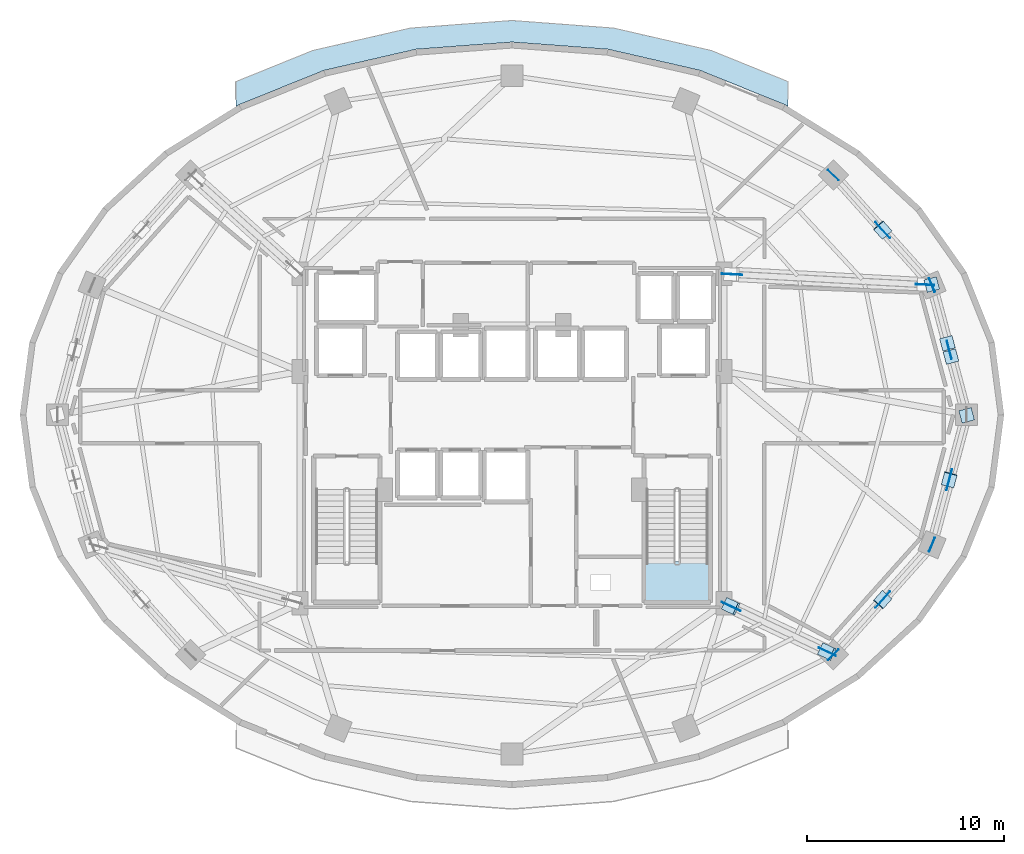
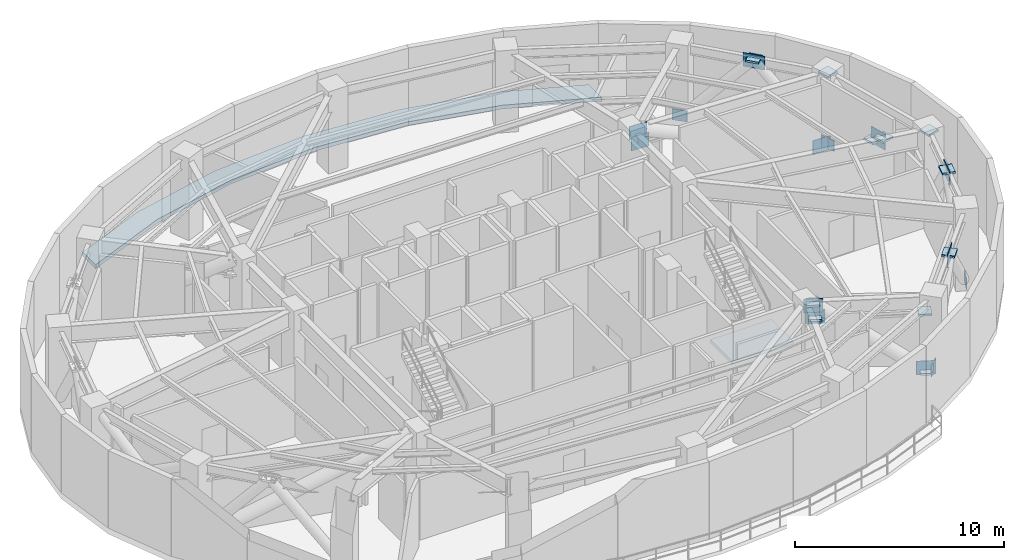
# One storey, part 5 of 11: 28 plates, 2 slabs, 1 element without a shape of its own.
"""IFC4 building model written with IfcOpenShell, lengths in metres."""

from ifc_helpers import new_model, si_unit, direction, frame, origin, origin_2d, place, context, subcontext, project, spatial, polyline, rectangle, outline, extrude, material, layer, layer_set, type_object, element, aggregate, save


model = new_model("IFC4")

# Units and contexts
model_context = context("Model", 3, precision=1e-05, world=origin(), true_north=direction((0.0, 1.0)))
body_context = subcontext(model_context, "Body", "Model", "MODEL_VIEW")
ifc_project = project(units=[si_unit("LENGTHUNIT", "METRE"), si_unit("AREAUNIT", "SQUARE_METRE"), si_unit("VOLUMEUNIT", "CUBIC_METRE"), si_unit("PLANEANGLEUNIT", "RADIAN"), si_unit("MASSUNIT", "GRAM", prefix="KILO")], contexts=[model_context])

# Site, building, storey
site_placement = place(None, origin())
site = spatial("IfcSite", under=ifc_project, at=site_placement, CompositionType="ELEMENT")
building_placement = place(site_placement, origin())
building = spatial("IfcBuilding", under=site, at=building_placement, Name="Vorneva Point Tower", CompositionType="ELEMENT")
storey_placement = place(building_placement, frame((0.0, 0.0, 124.300048828125)))
storey = spatial("IfcBuildingStorey", under=building, at=storey_placement, Name="L33", CompositionType="ELEMENT", Elevation=124.300048828125)

# Plates
ifc_material_1 = material(Name="Steel S355", Category="steel")
ifc_layer_1 = layer(ifc_material_1, 0.028076171875)
ifc_layer_set_1 = layer_set([ifc_layer_1], Name="Steel S355")
plate_type_1 = type_object("IfcPlateType", Name="PLT-CAP-INT", PredefinedType="USERDEFINED", material=ifc_layer_set_1)
for number, where, z_axis, x_axis, name in (
    (1, (59.288818359375, 32.606689453125, 4.349609375), (0.0, 0.0, 1.0), (-0.257571294219, 0.966259296666, 0.0), "L33 Perimeter Belt-Truss Continuous X-Brace 01A end closure plate 2"),
    (2, (60.083251953125, 29.626708984375, 1.98095703125), (0.0, 0.0, 1.0), (0.257571294219, -0.966259296666, 0.0), "L33 Perimeter Belt-Truss Split X-Brace 01B1 end closure plate 2"),
    (3, (60.26220703125, 28.95556640625, 2.41650390625), (0.0, 0.0, 1.0), (0.257571294219, -0.966259296666, 0.0), "L33 Perimeter Belt-Truss Split X-Brace 01B2 end closure plate 1"),
    (4, (61.056396484375, 25.975341796875, 4.349609375), (0.0, 0.0, 1.0), (0.257571294219, -0.966259296666, 0.0), "L33 Perimeter Belt-Truss Split X-Brace 01B2 end closure plate 2"),
    (5, (56.783935546875, 35.386962890625, 4.3564453125), (0.0, 0.0, 1.0), (-0.667091755948, 0.744975562784, 0.0), "L33 Perimeter Belt-Truss Diagonal 02A end closure plate 2"),
    (6, (56.810302734375, 35.357421875, 4.3564453125), (0.0, 0.0, 1.0), (0.667091755948, -0.744975562784, 0.0), "L33 Perimeter Belt-Truss Diagonal 02B end closure plate 2"),
    (7, (56.810302734375, 16.642578125, 4.3564453125), (0.0, 0.0, 1.0), (0.667091755948, 0.744975562784, 0.0), "L33 Perimeter Belt-Truss Diagonal 15A end closure plate 2"),
    (8, (56.783935546875, 16.613037109375, 4.3564453125), (0.0, 0.0, 1.0), (-0.667091755948, -0.744975562784, 0.0), "L33 Perimeter Belt-Truss Diagonal 15B end closure plate 2"),
    (9, (60.177490234375, 22.72705078125, 4.357421875), (0.0, 0.0, 1.0), (0.257571294219, 0.966259296666, 0.0), "L33 Perimeter Belt-Truss Diagonal 16A end closure plate 2"),
    (10, (60.16796875, 22.69091796875, 4.357421875), (0.0, 0.0, 1.0), (-0.257571294219, -0.966259296666, 0.0), "L33 Perimeter Belt-Truss Diagonal 16B end closure plate 2"),
    (11, (49.04541015625, 16.310791015625, 4.3525390625), (0.0, 0.0, 1.0), (0.904760160049, -0.425921416213, 0.0), "L33 Core Outrigger Diagonal 15A end closure plate 1"),
    (12, (54.00341796875, 13.976806640625, 0.04541015625), (0.0, 0.0, 1.0), (0.904760160049, -0.425921416213, 0.0), "L33 Core Outrigger Diagonal 15A end closure plate 2"),
    (13, (49.1298828125, 16.27099609375, 3.51416015625), (0.0, 0.0, 1.0), (0.904760160049, -0.425921416213, 0.0), "L33 Core Outrigger Collector Strut 15B end closure plate 1"),
    (14, (53.918701171875, 14.0166015625, 3.51416015625), (0.0, 0.0, 1.0), (0.904760160049, -0.425921416213, 0.0), "L33 Core Outrigger Collector Strut 15B end closure plate 2"),
):
    element("IfcPlate", number, at=place(storey_placement, frame(where, z_axis=z_axis, x_axis=x_axis)), inside=storey, type_object=plate_type_1, Name=name, ObjectType="BASE PLATE", PredefinedType="USERDEFINED", context=body_context, shape_type="SweptSolid", body=[
        extrude(rectangle(XDim=0.64990234375, YDim=0.64990234375, at=origin_2d()), origin(), (0.0, 0.0, 1.0), 0.112060546875),
    ])
ifc_material_2 = material(Name="Steel S460", Category="steel")
ifc_layer_2 = layer(ifc_material_2, 0.031982421875)
ifc_layer_set_2 = layer_set([ifc_layer_2], Name="Steel S460")
plate_type_2 = type_object("IfcPlateType", Name="PLT-GUS-32", PredefinedType="USERDEFINED", material=ifc_layer_set_2)
plate_placement = place(storey_placement, frame((60.172607421875, 29.291015625, 1.77978515625), z_axis=(0.0, 0.0, 1.0), x_axis=(-0.257571294219, 0.966259296666, 0.0)))
element("IfcPlate", 15, at=plate_placement, inside=storey, type_object=plate_type_2, Name="L33 Belt-Truss X-Brace Central Node Gusset Plate 01", ObjectType="GUSSET PLATE", PredefinedType="USERDEFINED", context=body_context, shape_type="SweptSolid", body=[
    extrude(rectangle(XDim=0.949951171875, YDim=0.031982421875, at=origin_2d()), origin(), (0.0, 0.0, 1.0), 0.949951171875),
])
for number, where, z_axis, x_axis, name in (
    (16, (56.797119140625, 35.372314453125, 3.85009765625), (0.0, 0.0, 1.0), (-0.667091755948, 0.744975562784, 0.0), "L33 Belt-Truss Apex Gusset Plate 02"),
    (17, (56.797119140625, 16.627685546875, 3.85009765625), (0.0, 0.0, 1.0), (0.667091755948, 0.744975562784, 0.0), "L33 Belt-Truss Apex Gusset Plate 15"),
    (18, (60.172607421875, 22.708984375, 3.85009765625), (0.0, 0.0, 1.0), (0.257571294219, 0.966259296666, 0.0), "L33 Belt-Truss Apex Gusset Plate 16"),
):
    element("IfcPlate", number, at=place(storey_placement, frame(where, z_axis=z_axis, x_axis=x_axis)), inside=storey, type_object=plate_type_2, Name=name, ObjectType="GUSSET PLATE", PredefinedType="USERDEFINED", context=body_context, shape_type="SweptSolid", body=[
        extrude(rectangle(XDim=1.10009765625, YDim=0.031982421875, at=origin_2d()), origin(), (0.0, 0.0, 1.0), 0.800048828125),
    ])
for number, where, z_axis, x_axis, name in (
    (19, (59.29541015625, 32.582275390625, -0.054931640625), (0.0, 0.0, 1.0), (-0.382683432365, 0.923879532511, 0.0), "L33 Belt-Truss Column Base Gusset Plate 02"),
    (20, (54.298828125, 38.162109375, -0.054931640625), (0.0, 0.0, 1.0), (-0.707106781187, 0.707106781187, 0.0), "L33 Belt-Truss Column Base Gusset Plate 03"),
    (21, (54.298828125, 13.837890625, -0.054931640625), (0.0, 0.0, 1.0), (0.707106781187, 0.707106781187, 0.0), "L33 Belt-Truss Column Base Gusset Plate 15"),
    (22, (59.29541015625, 19.417724609375, -0.054931640625), (0.0, 0.0, 1.0), (0.382683432365, 0.923879532511, 0.0), "L33 Belt-Truss Column Base Gusset Plate 16"),
):
    element("IfcPlate", number, at=place(storey_placement, frame(where, z_axis=z_axis, x_axis=x_axis)), inside=storey, type_object=plate_type_2, Name=name, ObjectType="GUSSET PLATE", PredefinedType="USERDEFINED", context=body_context, shape_type="SweptSolid", body=[
        extrude(rectangle(XDim=0.75, YDim=0.031982421875, at=origin_2d()), origin(), (0.0, 0.0, 1.0), 0.64990234375),
    ])
for number, where, z_axis, x_axis, name in (
    (23, (49.099609375, 33.131103515625, 3.830078125), (0.0, 0.0, 1.0), (0.99855361041, -0.053765110774, 0.0), "L33 Outrigger Core Wall Anchorage Gusset 02"),
    (24, (49.19921875, 33.125732421875, 3.169921875), (0.0, 0.0, 1.0), (0.99855361041, -0.053765110774, 0.0), "L33 Outrigger Core Collector Link Gusset 02"),
    (25, (58.94580078125, 32.60107421875, -0.1201171875), (0.0, 0.0, 1.0), (0.99855361041, -0.053765110774, 0.0), "L33 Outrigger Perimeter Column Gusset 02"),
    (26, (49.066650390625, 16.30078125, 3.830078125), (0.0, 0.0, 1.0), (0.90475272618, -0.425937207192, 0.0), "L33 Outrigger Core Wall Anchorage Gusset 15"),
    (27, (49.156982421875, 16.25830078125, 3.169921875), (0.0, 0.0, 1.0), (0.90475272618, -0.425937207192, 0.0), "L33 Outrigger Core Collector Link Gusset 15"),
    (28, (53.982177734375, 13.98681640625, -0.1201171875), (0.0, 0.0, 1.0), (0.90475272618, -0.425937207192, 0.0), "L33 Outrigger Perimeter Column Gusset 15"),
):
    element("IfcPlate", number, at=place(storey_placement, frame(where, z_axis=z_axis, x_axis=x_axis)), inside=storey, type_object=plate_type_2, Name=name, ObjectType="GUSSET PLATE", PredefinedType="USERDEFINED", context=body_context, shape_type="SweptSolid", body=[
        extrude(rectangle(XDim=0.949951171875, YDim=0.031982421875, at=origin_2d()), origin(), (0.0, 0.0, 1.0), 0.800048828125),
    ])

# Slab
ifc_material_3 = material(Name="Concrete B50 (C40/50)", Category="concrete")
ifc_layer_3 = layer(ifc_material_3, 0.219970703125)
ifc_layer_set_3 = layer_set([ifc_layer_3], Name="Concrete B50 (C40/50)")
slab_type_1 = type_object("IfcSlabType", Name="SLB-BAL-220", PredefinedType="FLOOR", material=ifc_layer_set_3)
slab_1_placement = place(storey_placement, frame((0.0, 0.0, -0.219970703125)))
element("IfcSlab", 29, at=slab_1_placement, inside=storey, type_object=slab_type_1, Name="L33 Recessed Sky Garden Terrace NORTH", PredefinedType="FLOOR", context=body_context, shape_type="SweptSolid", body=[
    extrude(outline(polyline([(24.0, 42.8994140625), (24.0, 41.63330078125), (24.136474609375, 41.71826171875), (24.13671875, 41.718505859375), (24.136962890625, 41.718505859375), (28.450439453125, 43.465087890625), (28.45068359375, 43.465087890625), (28.451171875, 43.465087890625), (33.131591796875, 44.540771484375), (33.1318359375, 44.540771484375), (33.132080078125, 44.540771484375), (37.999755859375, 44.904052734375), (38.0, 44.904052734375), (38.000244140625, 44.904052734375), (42.867919921875, 44.540771484375), (42.8681640625, 44.540771484375), (42.868408203125, 44.540771484375), (47.548828125, 43.465087890625), (47.54931640625, 43.465087890625), (47.549560546875, 43.465087890625), (51.863037109375, 41.718505859375), (51.86328125, 41.718505859375), (51.863525390625, 41.71826171875), (52.0, 41.63330078125), (52.0, 42.8994140625), (48.102783203125, 44.4775390625), (43.150390625, 45.61572265625), (38.0, 46.0), (32.849609375, 45.61572265625), (27.897216796875, 44.4775390625), (24.0, 42.8994140625)])), origin(), (0.0, 0.0, 1.0), 0.219970703125),
])

# Stair, slab
stair_type = type_object("IfcStairType", Name="ST-DOG-1500", PredefinedType="HALF_TURN_STAIR", material=ifc_material_3)
stair_placement = place(storey_placement, origin())
stair = element("IfcStair", 30, at=stair_placement, inside=storey, type_object=stair_type, Name="L33 ST2", PredefinedType="HALF_TURN_STAIR")
ifc_layer_4 = layer(ifc_material_3, 0.199951171875)
ifc_layer_set_4 = layer_set([ifc_layer_4], Name="Concrete B50 (C40/50)")
slab_type_2 = type_object("IfcSlabType", Name="SLB-LND-200", PredefinedType="LANDING", material=ifc_layer_set_4)
slab_2_placement = place(storey_placement, frame((0.0, 0.0, 2.199951171875)))
slab_2 = element("IfcSlab", 31, at=slab_2_placement, type_object=slab_type_2, Name="ST2 landing 1", PredefinedType="LANDING", context=body_context, shape_type="SweptSolid", body=[
    extrude(outline(polyline([(44.679931640625, 16.47998046875), (48.070068359375, 16.47998046875), (48.070068359375, 18.570068359375), (44.679931640625, 18.570068359375), (44.679931640625, 16.47998046875)])), origin(), (0.0, 0.0, 1.0), 0.199951171875),
])
aggregate(stair, [slab_2])

save(model, "model.ifc")
